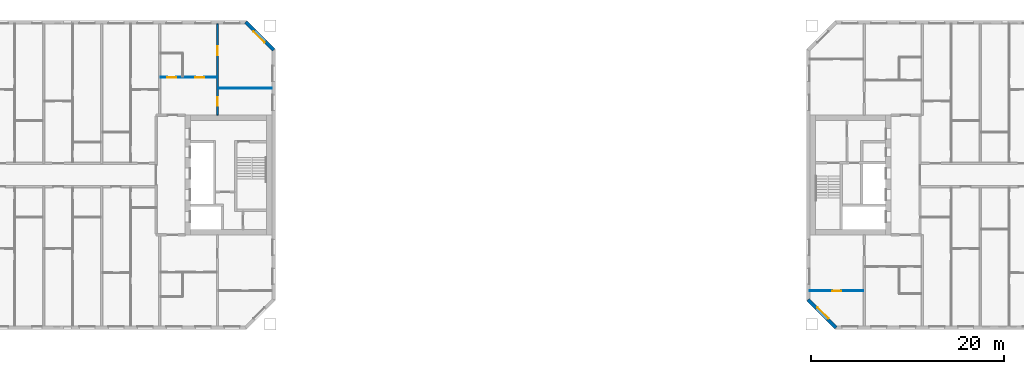
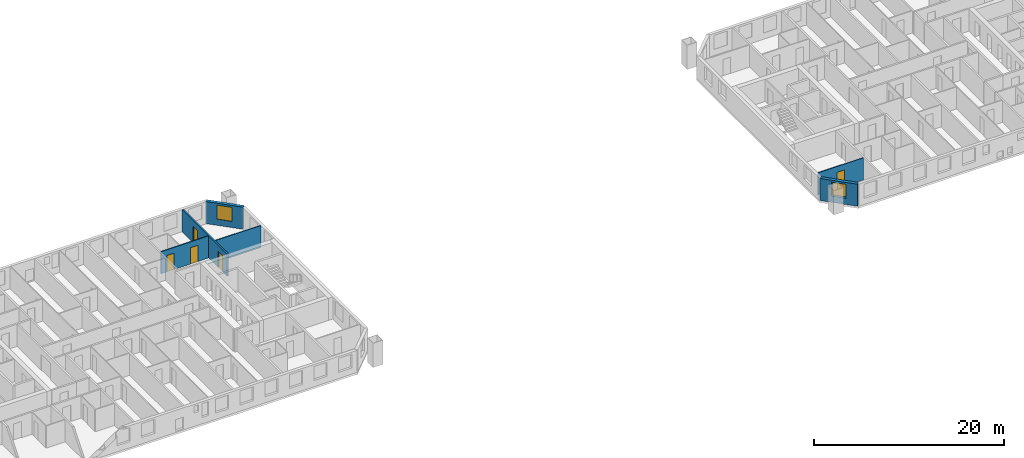
# One storey, part 8 of 16: 6 walls, 5 doors, 2 windows, 7 openings.
"""IFC4 building model written with IfcOpenShell, lengths in metres."""

from ifc_helpers import new_model, si_unit, direction, frame, frame_2d, origin, place, context, subcontext, project, spatial, rectangle, extrude, material, layer, layer_set, type_object, element, fill, save


model = new_model("IFC4")

# Units and contexts
model_context = context("Model", 3, precision=1e-05, world=origin(), true_north=direction((0.0, 1.0)))
body_context = subcontext(model_context, "Body", "Model", "MODEL_VIEW")
ifc_project = project(units=[si_unit("LENGTHUNIT", "METRE"), si_unit("AREAUNIT", "SQUARE_METRE"), si_unit("VOLUMEUNIT", "CUBIC_METRE"), si_unit("PLANEANGLEUNIT", "RADIAN"), si_unit("MASSUNIT", "GRAM", prefix="KILO")], contexts=[model_context])

# Site, building, storey
site_placement = place(None, origin())
site = spatial("IfcSite", under=ifc_project, at=site_placement, CompositionType="ELEMENT")
building_placement = place(site_placement, origin())
building = spatial("IfcBuilding", under=site, at=building_placement, Name="Tuart Gate Housing", CompositionType="ELEMENT")
storey_placement = place(building_placement, frame((0.0, 0.0, 139.199951171875)))
storey = spatial("IfcBuildingStorey", under=building, at=storey_placement, Name="L39", CompositionType="ELEMENT", Elevation=139.199951171875)

# Wall, opening, window
ifc_material_1 = material(Name="Brick", Category="masonry")
ifc_layer_1 = layer(ifc_material_1, 0.360107421875)
ifc_layer_set_1 = layer_set([ifc_layer_1], Name="Brick pier and spandrel wall 360")
wall_type_1 = type_object("IfcWallType", Name="Brick pier and spandrel wall 360", PredefinedType="STANDARD", material=ifc_layer_set_1)
wall_1_placement = place(storey_placement, frame((75.820068359375, 82.92529296875, 0.0), z_axis=(0.0, 0.0, 1.0), x_axis=(-0.707106781187, 0.707106781187, 0.0)))
wall_1 = element("IfcWall", 1, at=wall_1_placement, inside=storey, type_object=wall_type_1, Name="External wall A-NE L39", PredefinedType="STANDARD", context=body_context, shape_type="SweptSolid", body=[
    extrude(rectangle(XDim=4.09375, YDim=0.360107421875, at=frame_2d((2.046875, 0.0))), origin(), (0.0, 0.0, 1.0), 2.85009765625),
])
opening_1_placement = place(wall_1_placement, frame((1.2470703125, 0.0, 0.800048828125)))
opening_1 = element("IfcOpeningElement", 2, at=opening_1_placement, cuts=wall_1, Name="Opening W1", PredefinedType="OPENING", context=body_context, shape_type="SweptSolid", body=[
    extrude(rectangle(XDim=1.60009765625, YDim=1.800048828125, at=frame_2d((0.800048828125, 0.89990234375))), frame((0.0, 0.18994140625, 0.0), z_axis=(0.0, -1.0, 0.0), x_axis=(1.0, 0.0, 0.0)), (0.0, 0.0, 1.0), 0.380126953125),
])
ifc_material_2 = material(Name="Aluminium frame with clear glass", Category="aluminium")
window_type = type_object("IfcWindowType", Name="Punched window 1600 x 1800", PartitioningType="SINGLE_PANEL", PredefinedType="WINDOW", material=ifc_material_2)
window_1_placement = place(opening_1_placement, origin())
window_1 = element("IfcWindow", 3, at=window_1_placement, inside=storey, type_object=window_type, Name="Window W1", OverallHeight=1.800048828125, OverallWidth=1.60009765625, PartitioningType="SINGLE_PANEL", PredefinedType="WINDOW", context=body_context, shape_type="SweptSolid", body=[
    extrude(rectangle(XDim=1.60009765625, YDim=1.800048828125, at=frame_2d((0.800048828125, 0.89990234375))), frame((0.0, 0.150146484375, 0.0), z_axis=(0.0, -1.0, 0.0), x_axis=(1.0, 0.0, 0.0)), (0.0, 0.0, 1.0), 0.06005859375),
])
fill(opening_1, window_1)

wall_2_placement = place(storey_placement, frame((131.179931640625, 57.07470703125, 0.0), z_axis=(0.0, 0.0, 1.0), x_axis=(0.707106781187, -0.707106781187, 0.0)))
wall_2 = element("IfcWall", 4, at=wall_2_placement, inside=storey, type_object=wall_type_1, Name="External wall B-SW L39", PredefinedType="STANDARD", context=body_context, shape_type="SweptSolid", body=[
    extrude(rectangle(XDim=4.09375, YDim=0.360107421875, at=frame_2d((2.046875, 0.0))), origin(), (0.0, 0.0, 1.0), 2.85009765625),
])
opening_2_placement = place(wall_2_placement, frame((1.2470703125, 0.0, 0.800048828125)))
opening_2 = element("IfcOpeningElement", 5, at=opening_2_placement, cuts=wall_2, Name="Opening W1", PredefinedType="OPENING", context=body_context, shape_type="SweptSolid", body=[
    extrude(rectangle(XDim=1.60009765625, YDim=1.800048828125, at=frame_2d((0.800048828125, 0.89990234375))), frame((0.0, 0.18994140625, 0.0), z_axis=(0.0, -1.0, 0.0), x_axis=(1.0, 0.0, 0.0)), (0.0, 0.0, 1.0), 0.380126953125),
])
window_2_placement = place(opening_2_placement, origin())
window_2 = element("IfcWindow", 6, at=window_2_placement, inside=storey, type_object=window_type, Name="Window W1", OverallHeight=1.800048828125, OverallWidth=1.60009765625, PartitioningType="SINGLE_PANEL", PredefinedType="WINDOW", context=body_context, shape_type="SweptSolid", body=[
    extrude(rectangle(XDim=1.60009765625, YDim=1.800048828125, at=frame_2d((0.800048828125, 0.89990234375))), frame((0.0, 0.150146484375, 0.0), z_axis=(0.0, -1.0, 0.0), x_axis=(1.0, 0.0, 0.0)), (0.0, 0.0, 1.0), 0.06005859375),
])
fill(opening_2, window_2)

# Wall, opening, door
ifc_material_3 = material(Name="Gypsum board on steel studs", Category="steel")
ifc_layer_2 = layer(ifc_material_3, 0.10009765625)
ifc_layer_set_2 = layer_set([ifc_layer_2], Name="Partition 100")
wall_type_2 = type_object("IfcWallType", Name="Partition 100", PredefinedType="PARTITIONING", material=ifc_layer_set_2)
wall_3_placement = place(storey_placement, frame((131.360107421875, 58.0, 0.0), z_axis=(0.0, 0.0, 1.0), x_axis=(1.0, 0.0, 0.0)))
wall_3 = element("IfcWall", 7, at=wall_3_placement, inside=storey, type_object=wall_type_2, Name="Partition 100", PredefinedType="PARTITIONING", context=body_context, shape_type="SweptSolid", body=[
    extrude(rectangle(XDim=5.539794921875, YDim=0.10009765625, at=frame_2d((2.77001953125, 0.0))), origin(), (0.0, 0.0, 1.0), 2.85009765625),
])
opening_3_placement = place(wall_3_placement, frame((2.320068359375, 0.0, 0.0)))
opening_3 = element("IfcOpeningElement", 8, at=opening_3_placement, cuts=wall_3, Name="Opening D1513", PredefinedType="OPENING", context=body_context, shape_type="SweptSolid", body=[
    extrude(rectangle(XDim=0.89990234375, YDim=2.10009765625, at=frame_2d((0.449951171875, 1.050048828125))), frame((0.0, 0.06005859375, 0.0), z_axis=(0.0, -1.0, 0.0), x_axis=(1.0, 0.0, 0.0)), (0.0, 0.0, 1.0), 0.1201171875),
])
ifc_material_4 = material(Name="Timber door leaf in steel frame", Category="steel")
door_type_1 = type_object("IfcDoorType", Name="Internal door 900 RH", OperationType="SINGLE_SWING_RIGHT", PredefinedType="DOOR", material=ifc_material_4)
door_1_placement = place(opening_3_placement, frame((0.89990234375, 0.0, 0.0), z_axis=(0.0, 0.0, 1.0), x_axis=(-1.0, 0.0, 0.0)))
door_1 = element("IfcDoor", 9, at=door_1_placement, inside=storey, type_object=door_type_1, Name="Internal door", OperationType="SINGLE_SWING_RIGHT", OverallHeight=2.10009765625, OverallWidth=0.89990234375, PredefinedType="DOOR", context=body_context, shape_type="SweptSolid", body=[
    extrude(rectangle(XDim=0.89990234375, YDim=2.10009765625, at=frame_2d((0.449951171875, 1.050048828125))), frame((0.0, 0.025146484375, 0.0), z_axis=(0.0, -1.0, 0.0), x_axis=(1.0, 0.0, 0.0)), (0.0, 0.0, 1.0), 0.050048828125),
])
fill(opening_3, door_1)

# Wall
wall_4_placement = place(storey_placement, frame((70.10009765625, 79.0, 0.0), z_axis=(0.0, 0.0, 1.0), x_axis=(1.0, 0.0, 0.0)))
element("IfcWall", 10, at=wall_4_placement, inside=storey, type_object=wall_type_2, Name="Partition 100", PredefinedType="PARTITIONING", context=body_context, shape_type="SweptSolid", body=[
    extrude(rectangle(XDim=5.539794921875, YDim=0.10009765625, at=frame_2d((2.77001953125, 0.0))), origin(), (0.0, 0.0, 1.0), 2.85009765625),
])

# Wall, openings, doors
wall_5_placement = place(storey_placement, frame((64.10009765625, 80.10009765625, 0.0), z_axis=(0.0, 0.0, 1.0), x_axis=(1.0, 0.0, 0.0)))
wall_5 = element("IfcWall", 11, at=wall_5_placement, inside=storey, type_object=wall_type_2, Name="Partition 100", PredefinedType="PARTITIONING", context=body_context, shape_type="SweptSolid", body=[
    extrude(rectangle(XDim=5.7998046875, YDim=0.10009765625, at=frame_2d((2.89990234375, 0.0))), origin(), (0.0, 0.0, 1.0), 2.85009765625),
])
opening_4_placement = place(wall_5_placement, frame((3.60009765625, 0.0, 0.0)))
opening_4 = element("IfcOpeningElement", 12, at=opening_4_placement, cuts=wall_5, Name="Opening D1408", PredefinedType="OPENING", context=body_context, shape_type="SweptSolid", body=[
    extrude(rectangle(XDim=0.89990234375, YDim=2.10009765625, at=frame_2d((0.449951171875, 1.050048828125))), frame((0.0, 0.06005859375, 0.0), z_axis=(0.0, -1.0, 0.0), x_axis=(1.0, 0.0, 0.0)), (0.0, 0.0, 1.0), 0.1201171875),
])
opening_5_placement = place(wall_5_placement, frame((0.699951171875, 0.0, 0.0)))
opening_5 = element("IfcOpeningElement", 13, at=opening_5_placement, cuts=wall_5, Name="Opening D1407", PredefinedType="OPENING", context=body_context, shape_type="SweptSolid", body=[
    extrude(rectangle(XDim=0.89990234375, YDim=2.10009765625, at=frame_2d((0.449951171875, 1.050048828125))), frame((0.0, 0.06005859375, 0.0), z_axis=(0.0, -1.0, 0.0), x_axis=(1.0, 0.0, 0.0)), (0.0, 0.0, 1.0), 0.1201171875),
])
ifc_material_5 = material(Name="Timber door leaf in steel frame", Category="steel")
door_type_2 = type_object("IfcDoorType", Name="Bathroom door 900 RH", OperationType="SINGLE_SWING_RIGHT", PredefinedType="DOOR", material=ifc_material_5)
door_2_placement = place(opening_5_placement, origin())
door_2 = element("IfcDoor", 14, at=door_2_placement, inside=storey, type_object=door_type_2, Name="Bathroom door", OperationType="SINGLE_SWING_RIGHT", OverallHeight=2.10009765625, OverallWidth=0.89990234375, PredefinedType="DOOR", context=body_context, shape_type="SweptSolid", body=[
    extrude(rectangle(XDim=0.89990234375, YDim=2.10009765625, at=frame_2d((0.449951171875, 1.050048828125))), frame((0.0, 0.02490234375, 0.0), z_axis=(0.0, -1.0, 0.0), x_axis=(1.0, 0.0, 0.0)), (0.0, 0.0, 1.0), 0.050048828125),
])
fill(opening_5, door_2)
ifc_material_6 = material(Name="Timber door leaf in steel frame", Category="steel")
door_type_3 = type_object("IfcDoorType", Name="Internal door 900", OperationType="SINGLE_SWING_LEFT", PredefinedType="DOOR", material=ifc_material_6)
door_3_placement = place(opening_4_placement, frame((0.89990234375, 0.0, 0.0), z_axis=(0.0, 0.0, 1.0), x_axis=(-1.0, 0.0, 0.0)))
door_3 = element("IfcDoor", 15, at=door_3_placement, inside=storey, type_object=door_type_3, Name="Internal door", OperationType="SINGLE_SWING_LEFT", OverallHeight=2.10009765625, OverallWidth=0.89990234375, PredefinedType="DOOR", context=body_context, shape_type="SweptSolid", body=[
    extrude(rectangle(XDim=0.89990234375, YDim=2.10009765625, at=frame_2d((0.449951171875, 1.050048828125))), frame((0.0, 0.025146484375, 0.0), z_axis=(0.0, -1.0, 0.0), x_axis=(1.0, 0.0, 0.0)), (0.0, 0.0, 1.0), 0.050048828125),
])
fill(opening_4, door_3)

ifc_material_7 = material(Name="Concrete C40", Category="concrete")
ifc_layer_3 = layer(ifc_material_7, 0.199951171875)
ifc_layer_set_3 = layer_set([ifc_layer_3], Name="Party wall concrete C40 200")
wall_type_3 = type_object("IfcWallType", Name="Party wall concrete C40 200", PredefinedType="SOLIDWALL", material=ifc_layer_set_3)
wall_6_placement = place(storey_placement, frame((70.0, 76.199951171875, 0.0), z_axis=(0.0, 0.0, 1.0), x_axis=(0.0, 1.0, 0.0)))
wall_6 = element("IfcWall", 16, at=wall_6_placement, inside=storey, type_object=wall_type_3, Name="Party wall concrete C40 200", PredefinedType="SOLIDWALL", context=body_context, shape_type="SweptSolid", body=[
    extrude(rectangle(XDim=9.43994140625, YDim=0.199951171875, at=frame_2d((4.719970703125, 0.0))), origin(), (0.0, 0.0, 1.0), 2.85009765625),
])
opening_6_placement = place(wall_6_placement, frame((6.219970703125, 0.0, 0.0)))
opening_6 = element("IfcOpeningElement", 17, at=opening_6_placement, cuts=wall_6, Name="Opening D1402", PredefinedType="OPENING", context=body_context, shape_type="SweptSolid", body=[
    extrude(rectangle(XDim=0.89990234375, YDim=2.10009765625, at=frame_2d((0.449951171875, 1.050048828125))), frame((0.0, 0.10986328125, 0.0), z_axis=(0.0, -1.0, 0.0), x_axis=(1.0, 0.0, 0.0)), (0.0, 0.0, 1.0), 0.219970703125),
])
opening_7_placement = place(wall_6_placement, frame((0.949951171875, 0.0, 0.0)))
opening_7 = element("IfcOpeningElement", 18, at=opening_7_placement, cuts=wall_6, Name="Opening D1403", PredefinedType="OPENING", context=body_context, shape_type="SweptSolid", body=[
    extrude(rectangle(XDim=0.89990234375, YDim=2.10009765625, at=frame_2d((0.449951171875, 1.050048828125))), frame((0.0, 0.10986328125, 0.0), z_axis=(0.0, -1.0, 0.0), x_axis=(1.0, 0.0, 0.0)), (0.0, 0.0, 1.0), 0.219970703125),
])
door_4_placement = place(opening_6_placement, frame((0.89990234375, 0.0, 0.0), z_axis=(0.0, 0.0, 1.0), x_axis=(-1.0, 0.0, 0.0)))
door_4 = element("IfcDoor", 19, at=door_4_placement, inside=storey, type_object=door_type_3, Name="Internal door", OperationType="SINGLE_SWING_LEFT", OverallHeight=2.10009765625, OverallWidth=0.89990234375, PredefinedType="DOOR", context=body_context, shape_type="SweptSolid", body=[
    extrude(rectangle(XDim=0.89990234375, YDim=2.10009765625, at=frame_2d((0.449951171875, 1.050048828125))), frame((0.0, 0.025146484375, 0.0), z_axis=(0.0, -1.0, 0.0), x_axis=(1.0, 0.0, 0.0)), (0.0, 0.0, 1.0), 0.050048828125),
])
fill(opening_6, door_4)
door_5_placement = place(opening_7_placement, frame((0.89990234375, 0.0, 0.0), z_axis=(0.0, 0.0, 1.0), x_axis=(-1.0, 0.0, 0.0)))
door_5 = element("IfcDoor", 20, at=door_5_placement, inside=storey, type_object=door_type_1, Name="Internal door", OperationType="SINGLE_SWING_RIGHT", OverallHeight=2.10009765625, OverallWidth=0.89990234375, PredefinedType="DOOR", context=body_context, shape_type="SweptSolid", body=[
    extrude(rectangle(XDim=0.89990234375, YDim=2.10009765625, at=frame_2d((0.449951171875, 1.050048828125))), frame((0.0, 0.025146484375, 0.0), z_axis=(0.0, -1.0, 0.0), x_axis=(1.0, 0.0, 0.0)), (0.0, 0.0, 1.0), 0.050048828125),
])
fill(opening_7, door_5)

save(model, "model.ifc")
